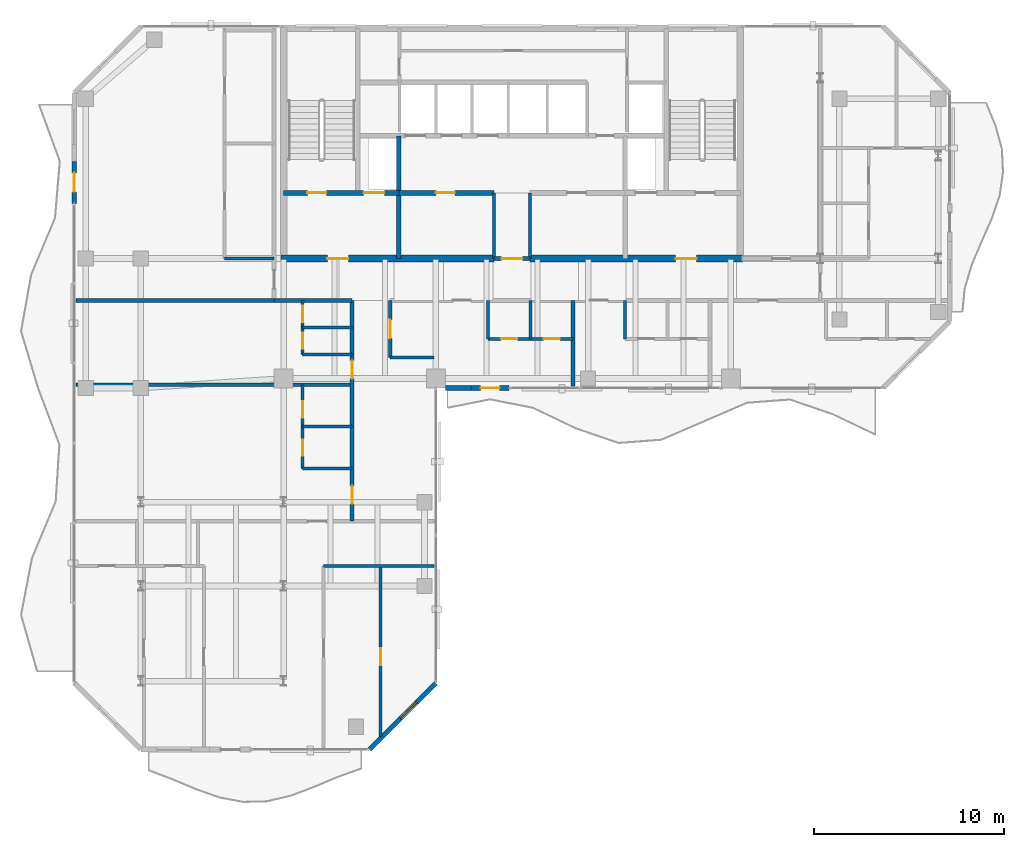
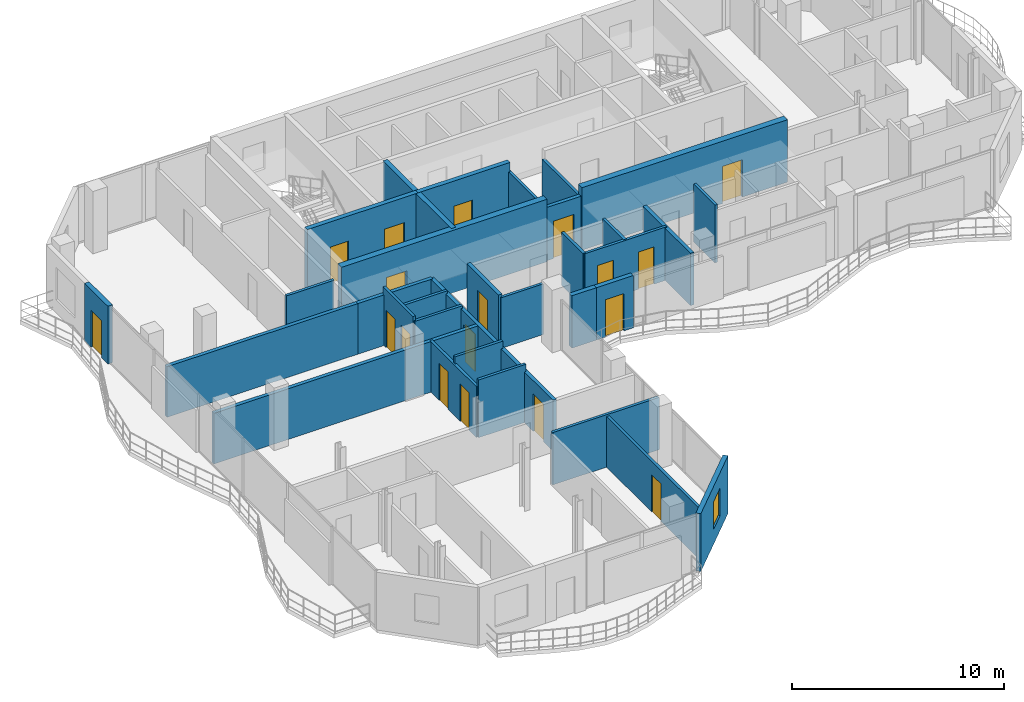
# One storey, part 18 of 23: 32 walls, 18 doors, 1 window, 19 openings.
"""IFC4 building model written with IfcOpenShell, lengths in metres."""

from ifc_helpers import new_model, si_unit, direction, frame, frame_2d, origin, place, context, subcontext, project, spatial, rectangle, extrude, material, layer, layer_set, type_object, element, fill, save


model = new_model("IFC4")

# Units and contexts
model_context = context("Model", 3, precision=1e-05, world=origin(), true_north=direction((0.0, 1.0)))
body_context = subcontext(model_context, "Body", "Model", "MODEL_VIEW")
ifc_project = project(units=[si_unit("LENGTHUNIT", "METRE"), si_unit("AREAUNIT", "SQUARE_METRE"), si_unit("VOLUMEUNIT", "CUBIC_METRE"), si_unit("PLANEANGLEUNIT", "RADIAN"), si_unit("MASSUNIT", "GRAM", prefix="KILO")], contexts=[model_context])

# Site, building, storey
site_placement = place(None, origin())
site = spatial("IfcSite", under=ifc_project, at=site_placement, CompositionType="ELEMENT")
building_placement = place(site_placement, origin())
building = spatial("IfcBuilding", under=site, at=building_placement, Name="Catumbela Crestline Tower", CompositionType="ELEMENT")
storey_placement = place(building_placement, frame((0.0, 0.0, 175.8)))
storey = spatial("IfcBuildingStorey", under=building, at=storey_placement, Name="L45", CompositionType="ELEMENT", Elevation=175.8)

# Wall
ifc_material_1 = material(Name="Concrete C50/60", Category="concrete")
ifc_layer_1 = layer(ifc_material_1, 0.25, Name="Concrete C50/60")
ifc_layer_set_1 = layer_set([ifc_layer_1], Name="Concrete C50/60")
wall_type_1 = type_object("IfcWallType", Name="CW-250D", PredefinedType="SHEAR", material=ifc_layer_set_1)
wall_1_placement = place(storey_placement, frame((22.05, 30.8, 0.0), z_axis=(0.0, 0.0, 1.0), x_axis=(0.0, 1.0, 0.0)))
element("IfcWall", 1, at=wall_1_placement, inside=storey, type_object=wall_type_1, Name="L45 Structural Core Shear Wall FFW", PredefinedType="SHEAR", context=body_context, shape_type="SweptSolid", body=[
    extrude(rectangle(XDim=6.45, YDim=0.25, at=frame_2d((3.225, 0.0))), origin(), (0.0, 0.0, 1.0), 3.6),
])

# Wall, openings, doors
wall_2_placement = place(storey_placement, frame((16.0, 34.25, 0.0), z_axis=(0.0, 0.0, 1.0), x_axis=(1.0, 0.0, 0.0)))
wall_2 = element("IfcWall", 2, at=wall_2_placement, inside=storey, type_object=wall_type_1, Name="L45 Structural Core Shear Wall ST1S", PredefinedType="SHEAR", context=body_context, shape_type="SweptSolid", body=[
    extrude(rectangle(XDim=6.05, YDim=0.25, at=frame_2d((3.025, 0.0))), origin(), (0.0, 0.0, 1.0), 3.6),
])
opening_1_placement = place(wall_2_placement, frame((1.25, 0.0, 0.0)))
opening_1 = element("IfcOpeningElement", 3, at=opening_1_placement, cuts=wall_2, Name="Opening DF9-100", PredefinedType="OPENING", context=body_context, shape_type="SweptSolid", body=[
    extrude(rectangle(XDim=1.0, YDim=2.15, at=frame_2d((0.5, 1.075))), frame((0.0, 0.135, 0.0), z_axis=(0.0, -1.0, 0.0), x_axis=(1.0, 0.0, 0.0)), (0.0, 0.0, 1.0), 0.27),
])
opening_2_placement = place(wall_2_placement, frame((4.2, 0.0, 0.0)))
opening_2 = element("IfcOpeningElement", 4, at=opening_2_placement, cuts=wall_2, Name="Opening LD-110", PredefinedType="OPENING", context=body_context, shape_type="SweptSolid", body=[
    extrude(rectangle(XDim=1.1, YDim=2.15, at=frame_2d((0.55, 1.075))), frame((0.0, 0.135, 0.0), z_axis=(0.0, -1.0, 0.0), x_axis=(1.0, 0.0, 0.0)), (0.0, 0.0, 1.0), 0.27),
])
ifc_material_2 = material(Name="Stainless steel EN 1.4401", Category="steel")
door_type_1 = type_object("IfcDoorType", Name="DF9-100", OperationType="NOTDEFINED", PredefinedType="DOOR", material=ifc_material_2)
door_1_placement = place(opening_1_placement, origin())
door_1 = element("IfcDoor", 5, at=door_1_placement, inside=storey, type_object=door_type_1, Name="L45 Interior Door DR-L45-ST01", OperationType="SINGLE_SWING_LEFT", OverallHeight=2.15, OverallWidth=1.0, PredefinedType="DOOR", context=body_context, shape_type="SweptSolid", body=[
    extrude(rectangle(XDim=1.0, YDim=2.15, at=frame_2d((0.5, 1.075))), frame((0.0, 0.025, 0.0), z_axis=(0.0, -1.0, 0.0), x_axis=(1.0, 0.0, 0.0)), (0.0, 0.0, 1.0), 0.05),
])
fill(opening_1, door_1)
door_type_2 = type_object("IfcDoorType", Name="LD-110", OperationType="NOTDEFINED", PredefinedType="DOOR", material=ifc_material_2)
door_2_placement = place(opening_2_placement, origin())
door_2 = element("IfcDoor", 6, at=door_2_placement, inside=storey, type_object=door_type_2, Name="L45 Lift Landing Sliding Door FL-01", OperationType="DOUBLE_DOOR_SLIDING", OverallHeight=2.15, OverallWidth=1.1, PredefinedType="DOOR", context=body_context, shape_type="SweptSolid", body=[
    extrude(rectangle(XDim=1.1, YDim=2.15, at=frame_2d((0.55, 1.075))), frame((0.0, 0.025, 0.0), z_axis=(0.0, -1.0, 0.0), x_axis=(1.0, 0.0, 0.0)), (0.0, 0.0, 1.0), 0.05),
])
fill(opening_2, door_2)

# Wall, opening, door
wall_3_placement = place(storey_placement, frame((22.05, 34.25, 0.0), z_axis=(0.0, 0.0, 1.0), x_axis=(1.0, 0.0, 0.0)))
wall_3 = element("IfcWall", 7, at=wall_3_placement, inside=storey, type_object=wall_type_1, Name="L45 Structural Core Shear Wall LIFTS-W", PredefinedType="SHEAR", context=body_context, shape_type="SweptSolid", body=[
    extrude(rectangle(XDim=5.0, YDim=0.25, at=frame_2d((2.5, 0.0))), origin(), (0.0, 0.0, 1.0), 3.6),
])
opening_3_placement = place(wall_3_placement, frame((1.95, 0.0, 0.0)))
opening_3 = element("IfcOpeningElement", 8, at=opening_3_placement, cuts=wall_3, Name="Opening DF9-100", PredefinedType="OPENING", context=body_context, shape_type="SweptSolid", body=[
    extrude(rectangle(XDim=1.0, YDim=2.15, at=frame_2d((0.5, 1.075))), frame((0.0, 0.135, 0.0), z_axis=(0.0, -1.0, 0.0), x_axis=(1.0, 0.0, 0.0)), (0.0, 0.0, 1.0), 0.27),
])
door_3_placement = place(opening_3_placement, origin())
door_3 = element("IfcDoor", 9, at=door_3_placement, inside=storey, type_object=door_type_1, Name="L45 Interior Door DR-L45-RECL1", OperationType="SINGLE_SWING_LEFT", OverallHeight=2.15, OverallWidth=1.0, PredefinedType="DOOR", context=body_context, shape_type="SweptSolid", body=[
    extrude(rectangle(XDim=1.0, YDim=2.15, at=frame_2d((0.5, 1.075))), frame((0.0, 0.025, 0.0), z_axis=(0.0, -1.0, 0.0), x_axis=(1.0, 0.0, 0.0)), (0.0, 0.0, 1.0), 0.05),
])
fill(opening_3, door_3)

ifc_layer_2 = layer(ifc_material_1, 0.35, Name="Concrete C50/60")
ifc_layer_set_2 = layer_set([ifc_layer_2], Name="Concrete C50/60")
wall_type_2 = type_object("IfcWallType", Name="CW-350B", PredefinedType="SHEAR", material=ifc_layer_set_2)
wall_4_placement = place(storey_placement, frame((15.85, 30.8, 0.0), z_axis=(0.0, 0.0, 1.0), x_axis=(1.0, 0.0, 0.0)))
wall_4 = element("IfcWall", 10, at=wall_4_placement, inside=storey, type_object=wall_type_2, Name="L45 Structural Core Shear Wall SW", PredefinedType="SHEAR", context=body_context, shape_type="SweptSolid", body=[
    extrude(rectangle(XDim=11.2, YDim=0.35, at=frame_2d((5.6, 0.0))), origin(), (0.0, 0.0, 1.0), 3.6),
])
opening_4_placement = place(wall_4_placement, frame((2.45, 0.0, 0.0)))
opening_4 = element("IfcOpeningElement", 11, at=opening_4_placement, cuts=wall_4, Name="Opening DF9-110", PredefinedType="OPENING", context=body_context, shape_type="SweptSolid", body=[
    extrude(rectangle(XDim=1.1, YDim=2.15, at=frame_2d((0.55, 1.075))), frame((0.0, 0.185, 0.0), z_axis=(0.0, -1.0, 0.0), x_axis=(1.0, 0.0, 0.0)), (0.0, 0.0, 1.0), 0.37),
])
door_type_3 = type_object("IfcDoorType", Name="DF9-110", OperationType="NOTDEFINED", PredefinedType="DOOR", material=ifc_material_2)
door_4_placement = place(opening_4_placement, origin())
door_4 = element("IfcDoor", 12, at=door_4_placement, inside=storey, type_object=door_type_3, Name="L45 Interior Door DR-L45-FFW-S", OperationType="SINGLE_SWING_LEFT", OverallHeight=2.15, OverallWidth=1.1, PredefinedType="DOOR", context=body_context, shape_type="SweptSolid", body=[
    extrude(rectangle(XDim=1.1, YDim=2.15, at=frame_2d((0.55, 1.075))), frame((0.0, 0.025, 0.0), z_axis=(0.0, -1.0, 0.0), x_axis=(1.0, 0.0, 0.0)), (0.0, 0.0, 1.0), 0.05),
])
fill(opening_4, door_4)

wall_5_placement = place(storey_placement, frame((28.95, 30.8, 0.0), z_axis=(0.0, 0.0, 1.0), x_axis=(1.0, 0.0, 0.0)))
wall_5 = element("IfcWall", 13, at=wall_5_placement, inside=storey, type_object=wall_type_2, Name="L45 Structural Core Shear Wall SE", PredefinedType="SHEAR", context=body_context, shape_type="SweptSolid", body=[
    extrude(rectangle(XDim=11.2, YDim=0.35, at=frame_2d((5.6, 0.0))), origin(), (0.0, 0.0, 1.0), 3.6),
])
opening_5_placement = place(wall_5_placement, frame((7.65, 0.0, 0.0)))
opening_5 = element("IfcOpeningElement", 14, at=opening_5_placement, cuts=wall_5, Name="Opening DF9-110", PredefinedType="OPENING", context=body_context, shape_type="SweptSolid", body=[
    extrude(rectangle(XDim=1.1, YDim=2.15, at=frame_2d((0.55, 1.075))), frame((0.0, 0.185, 0.0), z_axis=(0.0, -1.0, 0.0), x_axis=(1.0, 0.0, 0.0)), (0.0, 0.0, 1.0), 0.37),
])
door_5_placement = place(opening_5_placement, origin())
door_5 = element("IfcDoor", 15, at=door_5_placement, inside=storey, type_object=door_type_3, Name="L45 Interior Door DR-L45-FFE-S", OperationType="SINGLE_SWING_RIGHT", OverallHeight=2.15, OverallWidth=1.1, PredefinedType="DOOR", context=body_context, shape_type="SweptSolid", body=[
    extrude(rectangle(XDim=1.1, YDim=2.15, at=frame_2d((0.55, 1.075))), frame((0.0, 0.025, 0.0), z_axis=(0.0, -1.0, 0.0), x_axis=(1.0, 0.0, 0.0)), (0.0, 0.0, 1.0), 0.05),
])
fill(opening_5, door_5)

ifc_material_3 = material(Name="Acoustic gypsum and mineral-wool partition")
ifc_layer_3 = layer(ifc_material_3, 0.2, Name="Acoustic gypsum and mineral-wool partition")
ifc_layer_set_3 = layer_set([ifc_layer_3], Name="Acoustic gypsum and mineral-wool partition")
wall_type_3 = type_object("IfcWallType", Name="WC-200", PredefinedType="PARTITIONING", material=ifc_layer_set_3)
wall_6_placement = place(storey_placement, frame((27.05, 30.8, 0.0), z_axis=(0.0, 0.0, 1.0), x_axis=(1.0, 0.0, 0.0)))
wall_6 = element("IfcWall", 16, at=wall_6_placement, inside=storey, type_object=wall_type_3, Name="L45 Interior Partition PW-L45-CLOBS", PredefinedType="PARTITIONING", context=body_context, shape_type="SweptSolid", body=[
    extrude(rectangle(XDim=1.9, YDim=0.2, at=frame_2d((0.95, 0.0))), origin(), (0.0, 0.0, 1.0), 3.07),
])
opening_6_placement = place(wall_6_placement, frame((0.4, 0.0, 0.0)))
opening_6 = element("IfcOpeningElement", 17, at=opening_6_placement, cuts=wall_6, Name="Opening DF9-110", PredefinedType="OPENING", context=body_context, shape_type="SweptSolid", body=[
    extrude(rectangle(XDim=1.1, YDim=2.15, at=frame_2d((0.55, 1.075))), frame((0.0, 0.11, 0.0), z_axis=(0.0, -1.0, 0.0), x_axis=(1.0, 0.0, 0.0)), (0.0, 0.0, 1.0), 0.22),
])
door_6_placement = place(opening_6_placement, origin())
door_6 = element("IfcDoor", 18, at=door_6_placement, inside=storey, type_object=door_type_3, Name="L45 Interior Door DR-L45-CLOBS", OperationType="SINGLE_SWING_LEFT", OverallHeight=2.15, OverallWidth=1.1, PredefinedType="DOOR", context=body_context, shape_type="SweptSolid", body=[
    extrude(rectangle(XDim=1.1, YDim=2.15, at=frame_2d((0.55, 1.075))), frame((0.0, 0.025, 0.0), z_axis=(0.0, -1.0, 0.0), x_axis=(1.0, 0.0, 0.0)), (0.0, 0.0, 1.0), 0.05),
])
fill(opening_6, door_6)

# Wall
wall_7_placement = place(storey_placement, frame((15.5, 28.6, 0.0), z_axis=(0.0, 0.0, 1.0), x_axis=(1.0, 0.0, 0.0)))
element("IfcWall", 19, at=wall_7_placement, inside=storey, type_object=wall_type_3, Name="L45 Interior Partition PW-L45-RCWL", PredefinedType="PARTITIONING", context=body_context, shape_type="SweptSolid", body=[
    extrude(rectangle(XDim=4.1, YDim=0.2, at=frame_2d((2.05, 0.0))), origin(), (0.0, 0.0, 1.0), 2.92),
])

# Wall, openings, doors
wall_8_placement = place(storey_placement, frame((19.6, 17.0, 0.0), z_axis=(0.0, 0.0, 1.0), x_axis=(0.0, 1.0, 0.0)))
wall_8 = element("IfcWall", 20, at=wall_8_placement, inside=storey, type_object=wall_type_3, Name="L45 Interior Partition PW-L45-WL1-ENT", PredefinedType="PARTITIONING", context=body_context, shape_type="SweptSolid", body=[
    extrude(rectangle(XDim=11.6, YDim=0.2, at=frame_2d((5.8, 0.0))), origin(), (0.0, 0.0, 1.0), 2.92),
])
opening_7_placement = place(wall_8_placement, frame((7.493, 0.0, 0.0)))
opening_7 = element("IfcOpeningElement", 21, at=opening_7_placement, cuts=wall_8, Name="Opening DF6-095", PredefinedType="OPENING", context=body_context, shape_type="SweptSolid", body=[
    extrude(rectangle(XDim=0.95, YDim=2.15, at=frame_2d((0.475, 1.075))), frame((0.0, 0.11, 0.0), z_axis=(0.0, -1.0, 0.0), x_axis=(1.0, 0.0, 0.0)), (0.0, 0.0, 1.0), 0.22),
])
opening_8_placement = place(wall_8_placement, frame((0.909, 0.0, 0.0)))
opening_8 = element("IfcOpeningElement", 22, at=opening_8_placement, cuts=wall_8, Name="Opening DF6-095", PredefinedType="OPENING", context=body_context, shape_type="SweptSolid", body=[
    extrude(rectangle(XDim=0.95, YDim=2.15, at=frame_2d((0.475, 1.075))), frame((0.0, 0.11, 0.0), z_axis=(0.0, -1.0, 0.0), x_axis=(1.0, 0.0, 0.0)), (0.0, 0.0, 1.0), 0.22),
])
ifc_material_4 = material(Name="Aluminium alloy AW-6060-T66", Category="aluminium")
door_type_4 = type_object("IfcDoorType", Name="DF6-095", OperationType="NOTDEFINED", PredefinedType="DOOR", material=ifc_material_4)
door_7_placement = place(opening_7_placement, origin())
door_7 = element("IfcDoor", 23, at=door_7_placement, inside=storey, type_object=door_type_4, Name="L45 Interior Door DR-L45-WL1-ENT", OperationType="SINGLE_SWING_LEFT", OverallHeight=2.15, OverallWidth=0.95, PredefinedType="DOOR", context=body_context, shape_type="SweptSolid", body=[
    extrude(rectangle(XDim=0.95, YDim=2.15, at=frame_2d((0.475, 1.075))), frame((0.0, 0.025, 0.0), z_axis=(0.0, -1.0, 0.0), x_axis=(1.0, 0.0, 0.0)), (0.0, 0.0, 1.0), 0.05),
])
fill(opening_7, door_7)
door_8_placement = place(opening_8_placement, origin())
door_8 = element("IfcDoor", 24, at=door_8_placement, inside=storey, type_object=door_type_4, Name="L45 Interior Door DR-L45-WL2-ENT", OperationType="SINGLE_SWING_RIGHT", OverallHeight=2.15, OverallWidth=0.95, PredefinedType="DOOR", context=body_context, shape_type="SweptSolid", body=[
    extrude(rectangle(XDim=0.95, YDim=2.15, at=frame_2d((0.475, 1.075))), frame((0.0, 0.025, 0.0), z_axis=(0.0, -1.0, 0.0), x_axis=(1.0, 0.0, 0.0)), (0.0, 0.0, 1.0), 0.05),
])
fill(opening_8, door_8)

# Wall, opening, door
wall_9_placement = place(storey_placement, frame((21.6, 25.6, 0.0), z_axis=(0.0, 0.0, 1.0), x_axis=(0.0, 1.0, 0.0)))
wall_9 = element("IfcWall", 25, at=wall_9_placement, inside=storey, type_object=wall_type_3, Name="L45 Interior Partition PW-L45-RWAM-ENT", PredefinedType="PARTITIONING", context=body_context, shape_type="SweptSolid", body=[
    extrude(rectangle(XDim=3.0, YDim=0.2, at=frame_2d((1.5, 0.0))), origin(), (0.0, 0.0, 1.0), 3.07),
])
opening_9_placement = place(wall_9_placement, frame((1.025, 0.0, 0.0)))
opening_9 = element("IfcOpeningElement", 26, at=opening_9_placement, cuts=wall_9, Name="Opening DF6-095", PredefinedType="OPENING", context=body_context, shape_type="SweptSolid", body=[
    extrude(rectangle(XDim=0.95, YDim=2.15, at=frame_2d((0.475, 1.075))), frame((0.0, 0.11, 0.0), z_axis=(0.0, -1.0, 0.0), x_axis=(1.0, 0.0, 0.0)), (0.0, 0.0, 1.0), 0.22),
])
door_9_placement = place(opening_9_placement, origin())
door_9 = element("IfcDoor", 27, at=door_9_placement, inside=storey, type_object=door_type_4, Name="L45 Interior Door DR-L45-RWAM-ENT", OperationType="SINGLE_SWING_RIGHT", OverallHeight=2.15, OverallWidth=0.95, PredefinedType="DOOR", context=body_context, shape_type="SweptSolid", body=[
    extrude(rectangle(XDim=0.95, YDim=2.15, at=frame_2d((0.475, 1.075))), frame((0.0, 0.025, 0.0), z_axis=(0.0, -1.0, 0.0), x_axis=(1.0, 0.0, 0.0)), (0.0, 0.0, 1.0), 0.05),
])
fill(opening_9, door_9)

# Wall, opening, window
ifc_material_5 = material(Name="Angolan grey-ochre granite", Category="masonry")
ifc_layer_4 = layer(ifc_material_5, 0.25, Name="Angolan grey-ochre granite")
ifc_layer_set_4 = layer_set([ifc_layer_4], Name="Angolan grey-ochre granite")
wall_type_4 = type_object("IfcWallType", Name="WE-250", PredefinedType="STANDARD", material=ifc_layer_set_4)
wall_10_placement = place(storey_placement, frame((20.5, 5.0, 0.0), z_axis=(0.0, 0.0, 1.0), x_axis=(0.707106781187, 0.707106781187, 0.0)))
wall_10 = element("IfcWall", 28, at=wall_10_placement, inside=storey, type_object=wall_type_4, Name="L45 Granite Punched Window Wall 1-1", PredefinedType="STANDARD", context=body_context, shape_type="SweptSolid", body=[
    extrude(rectangle(XDim=4.9497, YDim=0.25, at=frame_2d((2.4748, 0.0))), origin(), (0.0, 0.0, 1.0), 3.33),
])
opening_10_placement = place(wall_10_placement, frame((2.3245, 0.0, 0.85)))
opening_10 = element("IfcOpeningElement", 29, at=opening_10_placement, cuts=wall_10, Name="Opening WN-02", PredefinedType="OPENING", context=body_context, shape_type="SweptSolid", body=[
    extrude(rectangle(XDim=1.2, YDim=1.6, at=frame_2d((0.6, 0.8))), frame((0.0, 0.135, 0.0), z_axis=(0.0, -1.0, 0.0), x_axis=(1.0, 0.0, 0.0)), (0.0, 0.0, 1.0), 0.27),
])
ifc_material_6 = material(Name="Low-E laminated solar-control double glazing", Category="glass")
window_type = type_object("IfcWindowType", Name="WO-1200", PartitioningType="SINGLE_PANEL", PredefinedType="WINDOW", material=ifc_material_6)
window_placement = place(opening_10_placement, origin())
window = element("IfcWindow", 30, at=window_placement, inside=storey, type_object=window_type, Name="L45 Facade Vision Window 278", OverallHeight=1.6, OverallWidth=1.2, PartitioningType="SINGLE_PANEL", PredefinedType="WINDOW", context=body_context, shape_type="SweptSolid", body=[
    extrude(rectangle(XDim=1.2, YDim=1.6, at=frame_2d((0.6, 0.8))), frame((0.0, 0.03, 0.0), z_axis=(0.0, -1.0, 0.0), x_axis=(1.0, 0.0, 0.0)), (0.0, 0.0, 1.0), 0.06),
])
fill(opening_10, window)

# Wall, opening, door
wall_11_placement = place(storey_placement, frame((25.85, 24.0, 0.0), z_axis=(0.0, 0.0, 1.0), x_axis=(1.0, 0.0, 0.0)))
wall_11 = element("IfcWall", 31, at=wall_11_placement, inside=storey, type_object=wall_type_4, Name="L45 Exterior Threshold Portal Wall DR-L45-WBAL-1", PredefinedType="STANDARD", context=body_context, shape_type="SweptSolid", body=[
    extrude(rectangle(XDim=2.0, YDim=0.25, at=frame_2d((1.0, 0.0))), origin(), (0.0, 0.0, 1.0), 3.02),
])
opening_11_placement = place(wall_11_placement, frame((0.5, 0.0, 0.0)))
opening_11 = element("IfcOpeningElement", 32, at=opening_11_placement, cuts=wall_11, Name="Opening DB-L45-1", PredefinedType="OPENING", context=body_context, shape_type="SweptSolid", body=[
    extrude(rectangle(XDim=1.0, YDim=2.15, at=frame_2d((0.5, 1.075))), frame((0.0, 0.135, 0.0), z_axis=(0.0, -1.0, 0.0), x_axis=(1.0, 0.0, 0.0)), (0.0, 0.0, 1.0), 0.27),
])
door_type_5 = type_object("IfcDoorType", Name="DB-1000", OperationType="NOTDEFINED", PredefinedType="DOOR", material=ifc_material_4)
door_10_placement = place(opening_11_placement, origin())
door_10 = element("IfcDoor", 33, at=door_10_placement, inside=storey, type_object=door_type_5, Name="L45 Wave Balcony Terrace Door 1", OperationType="SINGLE_SWING_LEFT", OverallHeight=2.15, OverallWidth=1.0, PredefinedType="DOOR", context=body_context, shape_type="SweptSolid", body=[
    extrude(rectangle(XDim=1.0, YDim=2.15, at=frame_2d((0.5, 1.075))), frame((0.0, 0.025, 0.0), z_axis=(0.0, -1.0, 0.0), x_axis=(1.0, 0.0, 0.0)), (0.0, 0.0, 1.0), 0.05),
])
fill(opening_11, door_10)

# Wall
wall_12_placement = place(storey_placement, frame((24.5, 24.0, 0.0), z_axis=(0.0, 0.0, 1.0), x_axis=(1.0, 0.0, 0.0)))
element("IfcWall", 34, at=wall_12_placement, inside=storey, type_object=wall_type_4, Name="L45 Granite Punched Window Wall 3-1", PredefinedType="STANDARD", context=body_context, shape_type="SweptSolid", body=[
    extrude(rectangle(XDim=1.35, YDim=0.25, at=frame_2d((0.675, 0.0))), origin(), (0.0, 0.0, 1.0), 3.02),
])

# Wall, opening, door
wall_13_placement = place(storey_placement, frame((5.0, 35.9, 0.0), z_axis=(0.0, 0.0, 1.0), x_axis=(0.0, -1.0, 0.0)))
wall_13 = element("IfcWall", 35, at=wall_13_placement, inside=storey, type_object=wall_type_4, Name="L45 Exterior Threshold Portal Wall DR-L45-WBAL-4", PredefinedType="STANDARD", context=body_context, shape_type="SweptSolid", body=[
    extrude(rectangle(XDim=2.2, YDim=0.25, at=frame_2d((1.1, 0.0))), origin(), (0.0, 0.0, 1.0), 3.33),
])
opening_12_placement = place(wall_13_placement, frame((0.6, 0.0, 0.0)))
opening_12 = element("IfcOpeningElement", 36, at=opening_12_placement, cuts=wall_13, Name="Opening DB-L45-4", PredefinedType="OPENING", context=body_context, shape_type="SweptSolid", body=[
    extrude(rectangle(XDim=1.0, YDim=2.15, at=frame_2d((0.5, 1.075))), frame((0.0, 0.135, 0.0), z_axis=(0.0, -1.0, 0.0), x_axis=(1.0, 0.0, 0.0)), (0.0, 0.0, 1.0), 0.27),
])
door_11_placement = place(opening_12_placement, origin())
door_11 = element("IfcDoor", 37, at=door_11_placement, inside=storey, type_object=door_type_5, Name="L45 Wave Balcony Terrace Door 4", OperationType="SINGLE_SWING_RIGHT", OverallHeight=2.15, OverallWidth=1.0, PredefinedType="DOOR", context=body_context, shape_type="SweptSolid", body=[
    extrude(rectangle(XDim=1.0, YDim=2.15, at=frame_2d((0.5, 1.075))), frame((0.0, 0.025, 0.0), z_axis=(0.0, -1.0, 0.0), x_axis=(1.0, 0.0, 0.0)), (0.0, 0.0, 1.0), 0.05),
])
fill(opening_12, door_11)

# Walls
ifc_layer_5 = layer(ifc_material_3, 0.15, Name="Acoustic gypsum and mineral-wool partition")
ifc_layer_set_5 = layer_set([ifc_layer_5], Name="Acoustic gypsum and mineral-wool partition")
wall_type_5 = type_object("IfcWallType", Name="WP-150", PredefinedType="PARTITIONING", material=ifc_layer_set_5)
wall_14_placement = place(storey_placement, frame((12.9, 30.8, 0.0), z_axis=(0.0, 0.0, 1.0), x_axis=(1.0, 0.0, 0.0)))
element("IfcWall", 38, at=wall_14_placement, inside=storey, type_object=wall_type_5, Name="L45 Interior Partition PW-L45-NW1-KBS", PredefinedType="PARTITIONING", context=body_context, shape_type="SweptSolid", body=[
    extrude(rectangle(XDim=2.6, YDim=0.15, at=frame_2d((1.3, 0.0))), origin(), (0.0, 0.0, 1.0), 2.92),
])
for number, where, z_axis, x_axis, name in (
    (39, (26.736, 26.576, 0.0), (0.0, 0.0, 1.0), (0.0, 1.0, 0.0), "L45 Interior Partition PW-L45-S1-KBW"),
    (40, (28.968, 26.576, 0.0), (0.0, 0.0, 1.0), (0.0, 1.0, 0.0), "L45 Interior Partition PW-L45-S1-KBM"),
):
    element("IfcWall", number, at=place(storey_placement, frame(where, z_axis=z_axis, x_axis=x_axis)), inside=storey, type_object=wall_type_5, Name=name, PredefinedType="PARTITIONING", context=body_context, shape_type="SweptSolid", body=[
        extrude(rectangle(XDim=2.024, YDim=0.15, at=frame_2d((1.012, 0.0))), origin(), (0.0, 0.0, 1.0), 3.07),
    ])

# Wall, openings, doors
wall_15_placement = place(storey_placement, frame((26.736, 26.576, 0.0), z_axis=(0.0, 0.0, 1.0), x_axis=(1.0, 0.0, 0.0)))
wall_15 = element("IfcWall", 41, at=wall_15_placement, inside=storey, type_object=wall_type_5, Name="L45 Interior Partition PW-L45-S1-KBD1", PredefinedType="PARTITIONING", context=body_context, shape_type="SweptSolid", body=[
    extrude(rectangle(XDim=4.464, YDim=0.15, at=frame_2d((2.232, 0.0))), origin(), (0.0, 0.0, 1.0), 3.07),
])
opening_13_placement = place(wall_15_placement, frame((0.691, 0.0, 0.0)))
opening_13 = element("IfcOpeningElement", 42, at=opening_13_placement, cuts=wall_15, Name="Opening DI-085", PredefinedType="OPENING", context=body_context, shape_type="SweptSolid", body=[
    extrude(rectangle(XDim=0.85, YDim=2.15, at=frame_2d((0.425, 1.075))), frame((0.0, 0.085, 0.0), z_axis=(0.0, -1.0, 0.0), x_axis=(1.0, 0.0, 0.0)), (0.0, 0.0, 1.0), 0.17),
])
opening_14_placement = place(wall_15_placement, frame((2.923, 0.0, 0.0)))
opening_14 = element("IfcOpeningElement", 43, at=opening_14_placement, cuts=wall_15, Name="Opening DI-085", PredefinedType="OPENING", context=body_context, shape_type="SweptSolid", body=[
    extrude(rectangle(XDim=0.85, YDim=2.15, at=frame_2d((0.425, 1.075))), frame((0.0, 0.085, 0.0), z_axis=(0.0, -1.0, 0.0), x_axis=(1.0, 0.0, 0.0)), (0.0, 0.0, 1.0), 0.17),
])
door_type_6 = type_object("IfcDoorType", Name="DI-085", OperationType="NOTDEFINED", PredefinedType="DOOR", material=ifc_material_4)
door_12_placement = place(opening_13_placement, origin())
door_12 = element("IfcDoor", 44, at=door_12_placement, inside=storey, type_object=door_type_6, Name="L45 Interior Door DR-L45-S1-BTH", OperationType="SINGLE_SWING_LEFT", OverallHeight=2.15, OverallWidth=0.85, PredefinedType="DOOR", context=body_context, shape_type="SweptSolid", body=[
    extrude(rectangle(XDim=0.85, YDim=2.15, at=frame_2d((0.425, 1.075))), frame((0.0, 0.025, 0.0), z_axis=(0.0, -1.0, 0.0), x_axis=(1.0, 0.0, 0.0)), (0.0, 0.0, 1.0), 0.05),
])
fill(opening_13, door_12)
door_13_placement = place(opening_14_placement, origin())
door_13 = element("IfcDoor", 45, at=door_13_placement, inside=storey, type_object=door_type_6, Name="L45 Interior Door DR-L45-S1-KIT", OperationType="SINGLE_SWING_RIGHT", OverallHeight=2.15, OverallWidth=0.85, PredefinedType="DOOR", context=body_context, shape_type="SweptSolid", body=[
    extrude(rectangle(XDim=0.85, YDim=2.15, at=frame_2d((0.425, 1.075))), frame((0.0, 0.025, 0.0), z_axis=(0.0, -1.0, 0.0), x_axis=(1.0, 0.0, 0.0)), (0.0, 0.0, 1.0), 0.05),
])
fill(opening_14, door_13)

# Walls
wall_16_placement = place(storey_placement, frame((33.936, 26.576, 0.0), z_axis=(0.0, 0.0, 1.0), x_axis=(0.0, 1.0, 0.0)))
element("IfcWall", 46, at=wall_16_placement, inside=storey, type_object=wall_type_5, Name="L45 Interior Partition PW-L45-S2-KBW", PredefinedType="PARTITIONING", context=body_context, shape_type="SweptSolid", body=[
    extrude(rectangle(XDim=2.024, YDim=0.15, at=frame_2d((1.012, 0.0))), origin(), (0.0, 0.0, 1.0), 3.33),
])
for number, where, z_axis, x_axis, name in (
    (47, (17.0, 25.768, 0.0), (0.0, 0.0, 1.0), (1.0, 0.0, 0.0), "L45 Interior Partition PW-L45-WL1-KBS"),
    (48, (17.0, 27.184, 0.0), (0.0, 0.0, 1.0), (1.0, 0.0, 0.0), "L45 Interior Partition PW-L45-WL1-KBM"),
):
    element("IfcWall", number, at=place(storey_placement, frame(where, z_axis=z_axis, x_axis=x_axis)), inside=storey, type_object=wall_type_5, Name=name, PredefinedType="PARTITIONING", context=body_context, shape_type="SweptSolid", body=[
        extrude(rectangle(XDim=2.6, YDim=0.15, at=frame_2d((1.3, 0.0))), origin(), (0.0, 0.0, 1.0), 3.07),
    ])

# Wall, openings, doors
wall_17_placement = place(storey_placement, frame((17.0, 25.768, 0.0), z_axis=(0.0, 0.0, 1.0), x_axis=(0.0, 1.0, 0.0)))
wall_17 = element("IfcWall", 49, at=wall_17_placement, inside=storey, type_object=wall_type_5, Name="L45 Interior Partition PW-L45-WL1-SK1", PredefinedType="PARTITIONING", context=body_context, shape_type="SweptSolid", body=[
    extrude(rectangle(XDim=2.832, YDim=0.15, at=frame_2d((1.416, 0.0))), origin(), (0.0, 0.0, 1.0), 3.33),
])
opening_15_placement = place(wall_17_placement, frame((0.283, 0.0, 0.0)))
opening_15 = element("IfcOpeningElement", 50, at=opening_15_placement, cuts=wall_17, Name="Opening DI-085", PredefinedType="OPENING", context=body_context, shape_type="SweptSolid", body=[
    extrude(rectangle(XDim=0.85, YDim=2.15, at=frame_2d((0.425, 1.075))), frame((0.0, 0.085, 0.0), z_axis=(0.0, -1.0, 0.0), x_axis=(1.0, 0.0, 0.0)), (0.0, 0.0, 1.0), 0.17),
])
opening_16_placement = place(wall_17_placement, frame((1.699, 0.0, 0.0)))
opening_16 = element("IfcOpeningElement", 51, at=opening_16_placement, cuts=wall_17, Name="Opening DI-085", PredefinedType="OPENING", context=body_context, shape_type="SweptSolid", body=[
    extrude(rectangle(XDim=0.85, YDim=2.15, at=frame_2d((0.425, 1.075))), frame((0.0, 0.085, 0.0), z_axis=(0.0, -1.0, 0.0), x_axis=(1.0, 0.0, 0.0)), (0.0, 0.0, 1.0), 0.17),
])
door_14_placement = place(opening_15_placement, origin())
door_14 = element("IfcDoor", 52, at=door_14_placement, inside=storey, type_object=door_type_6, Name="L45 Interior Door DR-L45-WL1-KIT", OperationType="SINGLE_SWING_LEFT", OverallHeight=2.15, OverallWidth=0.85, PredefinedType="DOOR", context=body_context, shape_type="SweptSolid", body=[
    extrude(rectangle(XDim=0.85, YDim=2.15, at=frame_2d((0.425, 1.075))), frame((0.0, 0.025, 0.0), z_axis=(0.0, -1.0, 0.0), x_axis=(1.0, 0.0, 0.0)), (0.0, 0.0, 1.0), 0.05),
])
fill(opening_15, door_14)
door_15_placement = place(opening_16_placement, origin())
door_15 = element("IfcDoor", 53, at=door_15_placement, inside=storey, type_object=door_type_6, Name="L45 Interior Door DR-L45-WL1-BTH", OperationType="SINGLE_SWING_RIGHT", OverallHeight=2.15, OverallWidth=0.85, PredefinedType="DOOR", context=body_context, shape_type="SweptSolid", body=[
    extrude(rectangle(XDim=0.85, YDim=2.15, at=frame_2d((0.425, 1.075))), frame((0.0, 0.025, 0.0), z_axis=(0.0, -1.0, 0.0), x_axis=(1.0, 0.0, 0.0)), (0.0, 0.0, 1.0), 0.05),
])
fill(opening_16, door_15)

# Walls
for number, where, z_axis, x_axis, name in (
    (54, (17.0, 19.768, 0.0), (0.0, 0.0, 1.0), (1.0, 0.0, 0.0), "L45 Interior Partition PW-L45-WL2-KBS"),
    (55, (17.0, 21.968, 0.0), (0.0, 0.0, 1.0), (1.0, 0.0, 0.0), "L45 Interior Partition PW-L45-WL2-KBM"),
):
    element("IfcWall", number, at=place(storey_placement, frame(where, z_axis=z_axis, x_axis=x_axis)), inside=storey, type_object=wall_type_5, Name=name, PredefinedType="PARTITIONING", context=body_context, shape_type="SweptSolid", body=[
        extrude(rectangle(XDim=2.6, YDim=0.15, at=frame_2d((1.3, 0.0))), origin(), (0.0, 0.0, 1.0), 3.33),
    ])

# Wall, openings, doors
wall_18_placement = place(storey_placement, frame((17.0, 19.768, 0.0), z_axis=(0.0, 0.0, 1.0), x_axis=(0.0, 1.0, 0.0)))
wall_18 = element("IfcWall", 56, at=wall_18_placement, inside=storey, type_object=wall_type_5, Name="L45 Interior Partition PW-L45-WL2-SK1", PredefinedType="PARTITIONING", context=body_context, shape_type="SweptSolid", body=[
    extrude(rectangle(XDim=4.4, YDim=0.15, at=frame_2d((2.2, 0.0))), origin(), (0.0, 0.0, 1.0), 2.92),
])
opening_17_placement = place(wall_18_placement, frame((0.675, 0.0, 0.0)))
opening_17 = element("IfcOpeningElement", 57, at=opening_17_placement, cuts=wall_18, Name="Opening DI-085", PredefinedType="OPENING", context=body_context, shape_type="SweptSolid", body=[
    extrude(rectangle(XDim=0.85, YDim=2.15, at=frame_2d((0.425, 1.075))), frame((0.0, 0.085, 0.0), z_axis=(0.0, -1.0, 0.0), x_axis=(1.0, 0.0, 0.0)), (0.0, 0.0, 1.0), 0.17),
])
opening_18_placement = place(wall_18_placement, frame((2.6767, 0.0, 0.0)))
opening_18 = element("IfcOpeningElement", 58, at=opening_18_placement, cuts=wall_18, Name="Opening DI-085", PredefinedType="OPENING", context=body_context, shape_type="SweptSolid", body=[
    extrude(rectangle(XDim=0.85, YDim=2.15, at=frame_2d((0.425, 1.075))), frame((0.0, 0.085, 0.0), z_axis=(0.0, -1.0, 0.0), x_axis=(1.0, 0.0, 0.0)), (0.0, 0.0, 1.0), 0.17),
])
door_16_placement = place(opening_17_placement, origin())
door_16 = element("IfcDoor", 59, at=door_16_placement, inside=storey, type_object=door_type_6, Name="L45 Interior Door DR-L45-WL2-KIT", OperationType="SINGLE_SWING_LEFT", OverallHeight=2.15, OverallWidth=0.85, PredefinedType="DOOR", context=body_context, shape_type="SweptSolid", body=[
    extrude(rectangle(XDim=0.85, YDim=2.15, at=frame_2d((0.425, 1.075))), frame((0.0, 0.025, 0.0), z_axis=(0.0, -1.0, 0.0), x_axis=(1.0, 0.0, 0.0)), (0.0, 0.0, 1.0), 0.05),
])
fill(opening_17, door_16)
door_17_placement = place(opening_18_placement, origin())
door_17 = element("IfcDoor", 60, at=door_17_placement, inside=storey, type_object=door_type_6, Name="L45 Interior Door DR-L45-WL2-BTH", OperationType="SINGLE_SWING_LEFT", OverallHeight=2.15, OverallWidth=0.85, PredefinedType="DOOR", context=body_context, shape_type="SweptSolid", body=[
    extrude(rectangle(XDim=0.85, YDim=2.15, at=frame_2d((0.425, 1.075))), frame((0.0, 0.025, 0.0), z_axis=(0.0, -1.0, 0.0), x_axis=(1.0, 0.0, 0.0)), (0.0, 0.0, 1.0), 0.05),
])
fill(opening_18, door_17)

# Walls
wall_19_placement = place(storey_placement, frame((21.6, 25.6, 0.0), z_axis=(0.0, 0.0, 1.0), x_axis=(1.0, 0.0, 0.0)))
element("IfcWall", 61, at=wall_19_placement, inside=storey, type_object=wall_type_5, Name="L45 Interior Partition PW-L45-RWRP", PredefinedType="PARTITIONING", context=body_context, shape_type="SweptSolid", body=[
    extrude(rectangle(XDim=2.3, YDim=0.15, at=frame_2d((1.15, 0.0))), origin(), (0.0, 0.0, 1.0), 2.92),
])
wall_20_placement = place(storey_placement, frame((18.1, 14.65, 0.0), z_axis=(0.0, 0.0, 1.0), x_axis=(1.0, 0.0, 0.0)))
element("IfcWall", 62, at=wall_20_placement, inside=storey, type_object=wall_type_5, Name="L45 Interior Partition PW-L45-SH1-BDRH", PredefinedType="PARTITIONING", context=body_context, shape_type="SweptSolid", body=[
    extrude(rectangle(XDim=5.8, YDim=0.15, at=frame_2d((2.9, 0.0))), origin(), (0.0, 0.0, 1.0), 3.02),
])

# Wall, opening, door
wall_21_placement = place(storey_placement, frame((21.1, 5.7, 0.0), z_axis=(0.0, 0.0, 1.0), x_axis=(0.0, 1.0, 0.0)))
wall_21 = element("IfcWall", 63, at=wall_21_placement, inside=storey, type_object=wall_type_5, Name="L45 Interior Partition PW-L45-SH1-BDR", PredefinedType="PARTITIONING", context=body_context, shape_type="SweptSolid", body=[
    extrude(rectangle(XDim=8.95, YDim=0.15, at=frame_2d((4.475, 0.0))), origin(), (0.0, 0.0, 1.0), 2.92),
])
opening_19_placement = place(wall_21_placement, frame((3.725, 0.0, 0.0)))
opening_19 = element("IfcOpeningElement", 64, at=opening_19_placement, cuts=wall_21, Name="Opening DI-090", PredefinedType="OPENING", context=body_context, shape_type="SweptSolid", body=[
    extrude(rectangle(XDim=0.9, YDim=2.15, at=frame_2d((0.45, 1.075))), frame((0.0, 0.085, 0.0), z_axis=(0.0, -1.0, 0.0), x_axis=(1.0, 0.0, 0.0)), (0.0, 0.0, 1.0), 0.17),
])
door_type_7 = type_object("IfcDoorType", Name="DI-090", OperationType="NOTDEFINED", PredefinedType="DOOR", material=ifc_material_4)
door_18_placement = place(opening_19_placement, origin())
door_18 = element("IfcDoor", 65, at=door_18_placement, inside=storey, type_object=door_type_7, Name="L45 Interior Door DR-L45-SH1-BD2", OperationType="SINGLE_SWING_RIGHT", OverallHeight=2.15, OverallWidth=0.9, PredefinedType="DOOR", context=body_context, shape_type="SweptSolid", body=[
    extrude(rectangle(XDim=0.9, YDim=2.15, at=frame_2d((0.45, 1.075))), frame((0.0, 0.025, 0.0), z_axis=(0.0, -1.0, 0.0), x_axis=(1.0, 0.0, 0.0)), (0.0, 0.0, 1.0), 0.05),
])
fill(opening_19, door_18)

# Walls
ifc_layer_6 = layer(ifc_material_3, 0.2, Name="Acoustic gypsum and mineral-wool partition")
ifc_layer_set_6 = layer_set([ifc_layer_6], Name="Acoustic gypsum and mineral-wool partition")
wall_type_6 = type_object("IfcWallType", Name="WY-200", PredefinedType="PARTITIONING", material=ifc_layer_set_6)
wall_22_placement = place(storey_placement, frame((5.1, 28.6, 0.0), z_axis=(0.0, 0.0, 1.0), x_axis=(1.0, 0.0, 0.0)))
element("IfcWall", 66, at=wall_22_placement, inside=storey, type_object=wall_type_6, Name="L45 Interior Partition PW-L45-RCWNW", PredefinedType="PARTITIONING", context=body_context, shape_type="SweptSolid", body=[
    extrude(rectangle(XDim=10.4, YDim=0.2, at=frame_2d((5.2, 0.0))), origin(), (0.0, 0.0, 1.0), 2.92),
])
wall_23_placement = place(storey_placement, frame((31.2, 24.1, 0.0), z_axis=(0.0, 0.0, 1.0), x_axis=(0.0, 1.0, 0.0)))
element("IfcWall", 67, at=wall_23_placement, inside=storey, type_object=wall_type_6, Name="L45 Interior Partition PW-L45-RSPP-2", PredefinedType="PARTITIONING", context=body_context, shape_type="SweptSolid", body=[
    extrude(rectangle(XDim=4.5, YDim=0.2, at=frame_2d((2.25, 0.0))), origin(), (0.0, 0.0, 1.0), 3.02),
])
wall_24_placement = place(storey_placement, frame((5.1, 24.168, 0.0), z_axis=(0.0, 0.0, 1.0), x_axis=(1.0, 0.0, 0.0)))
element("IfcWall", 68, at=wall_24_placement, inside=storey, type_object=wall_type_6, Name="L45 Interior Partition PW-L45-RWLP", PredefinedType="PARTITIONING", context=body_context, shape_type="SweptSolid", body=[
    extrude(rectangle(XDim=14.5, YDim=0.2, at=frame_2d((7.25, 0.0))), origin(), (0.0, 0.0, 1.0), 2.92),
])
ifc_layer_7 = layer(ifc_material_3, 0.15, Name="Acoustic gypsum and mineral-wool partition")
ifc_layer_set_7 = layer_set([ifc_layer_7], Name="Acoustic gypsum and mineral-wool partition")
wall_type_7 = type_object("IfcWallType", Name="WS-150", PredefinedType="PLUMBINGWALL", material=ifc_layer_set_7)
for number, where, z_axis, x_axis, name in (
    (69, (27.05, 30.8, 0.0), (0.0, 0.0, 1.0), (0.0, 1.0, 0.0), "L45 Interior Partition PW-L45-THRW"),
    (70, (28.95, 30.8, 0.0), (0.0, 0.0, 1.0), (0.0, 1.0, 0.0), "L45 Interior Partition PW-L45-THRE"),
):
    element("IfcWall", number, at=place(storey_placement, frame(where, z_axis=z_axis, x_axis=x_axis)), inside=storey, type_object=wall_type_7, Name=name, PredefinedType="PLUMBINGWALL", context=body_context, shape_type="SweptSolid", body=[
        extrude(rectangle(XDim=3.45, YDim=0.15, at=frame_2d((1.725, 0.0))), origin(), (0.0, 0.0, 1.0), 3.07),
    ])

save(model, "model.ifc")
